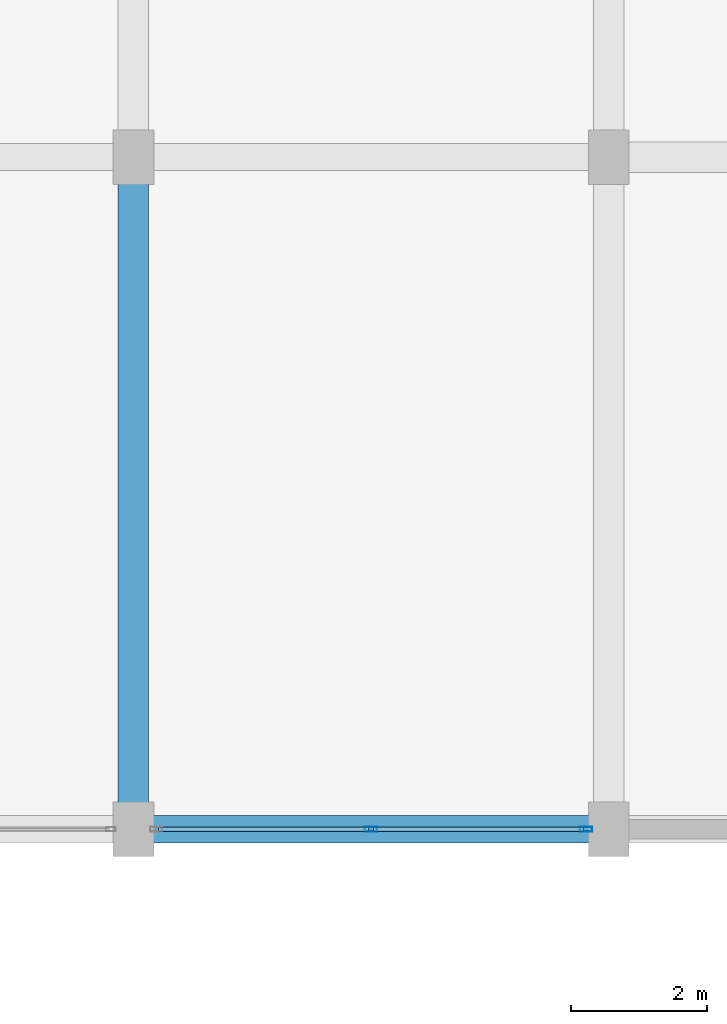
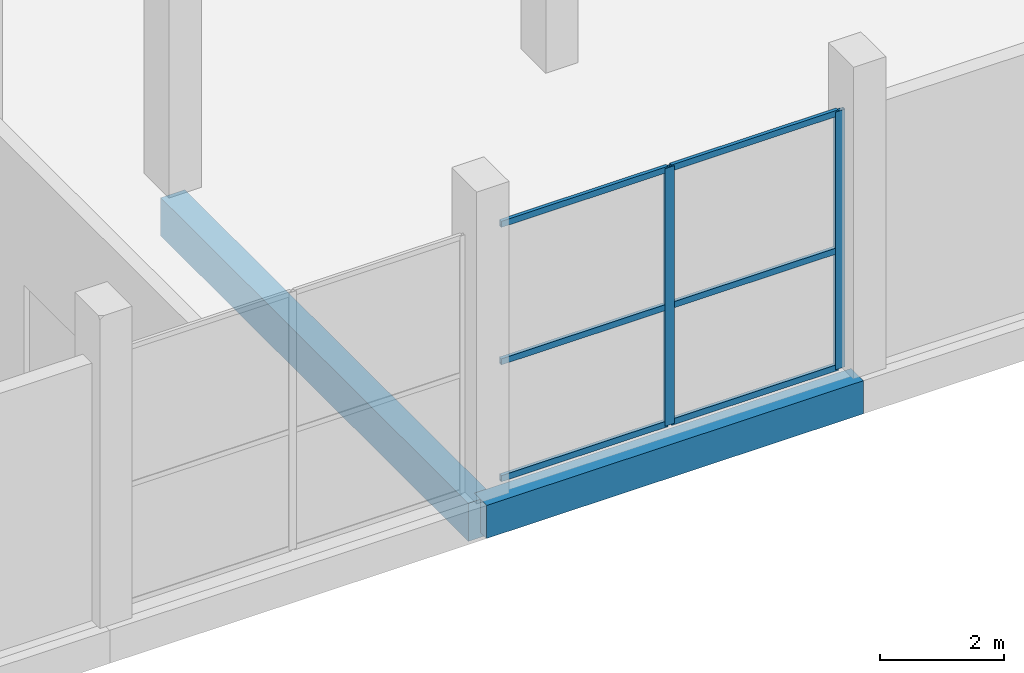
# One storey, part 3 of 58: 8 members, 2 beams, 1 element without a shape of its own.
"""IFC4 building model written with IfcOpenShell, lengths in metres."""

from ifc_helpers import new_model, si_unit, direction, frame, origin, origin_2d, place, context, subcontext, project, spatial, rectangle, hollow_rectangle, extrude, material, layer, layer_set, material_profile, profile_set, type_object, element, aggregate, save


model = new_model("IFC4")

# Units and contexts
model_context = context("Model", 3, precision=1e-05, world=origin(), true_north=direction((0.0, 1.0)))
body_context = subcontext(model_context, "Body", "Model", "MODEL_VIEW")
ifc_project = project(units=[si_unit("LENGTHUNIT", "METRE"), si_unit("AREAUNIT", "SQUARE_METRE"), si_unit("VOLUMEUNIT", "CUBIC_METRE"), si_unit("PLANEANGLEUNIT", "RADIAN"), si_unit("MASSUNIT", "GRAM", prefix="KILO")], contexts=[model_context])

# Site, building, storey
site_placement = place(None, origin())
site = spatial("IfcSite", under=ifc_project, at=site_placement, CompositionType="ELEMENT")
building_placement = place(site_placement, origin())
building = spatial("IfcBuilding", under=site, at=building_placement, Name="Sillaruma Civic Art Gallery", CompositionType="ELEMENT")
storey_placement = place(building_placement, frame((0.0, 0.0, 22.43994140625)))
storey = spatial("IfcBuildingStorey", under=building, at=storey_placement, Name="L04", CompositionType="ELEMENT", Elevation=22.43994140625)

# Beams
ifc_material_1 = material(Name="Concrete H40 (40 MPa)", Category="concrete")
ifc_material_profile_1 = material_profile(ifc_material_1, rectangle(XDim=0.449951171875, YDim=0.75, at=origin_2d()), Name="RCB450x750")
ifc_profile_set_1 = profile_set([ifc_material_profile_1], Name="Concrete H40 (40 MPa)")
beam_type_1 = type_object("IfcBeamType", Name="BM-BEAM-RCB450x750", PredefinedType="BEAM", material=ifc_profile_set_1)
beam_1_placement = place(storey_placement, frame((77.0, 19.800048828125, -0.635009765625), z_axis=(0.0, 1.0, 0.0), x_axis=(-1.0, 0.0, 0.0)))
element("IfcBeam", 1, at=beam_1_placement, inside=storey, type_object=beam_type_1, Name="Beam BM-03 (L03:H:3-4)", PredefinedType="BEAM", context=body_context, shape_type="SweptSolid", body=[
    extrude(rectangle(XDim=0.449951171875, YDim=0.75, at=origin_2d()), origin(), (0.0, 0.0, 1.0), 9.89990234375),
])
ifc_material_2 = material(Name="Concrete H35 (35 MPa)", Category="concrete")
ifc_material_profile_2 = material_profile(ifc_material_2, rectangle(XDim=0.39990234375, YDim=0.64990234375, at=origin_2d()), Name="RCB400x650")
ifc_profile_set_2 = profile_set([ifc_material_profile_2], Name="Concrete H35 (35 MPa)")
beam_type_2 = type_object("IfcBeamType", Name="BM-SPANDREL-RCB400x650", PredefinedType="SPANDREL", material=ifc_profile_set_2)
beam_2_placement = place(storey_placement, frame((77.0, 19.800048828125, -0.5849609375), z_axis=(1.0, 0.0, 0.0), x_axis=(0.0, 1.0, 0.0)))
element("IfcBeam", 2, at=beam_2_placement, inside=storey, type_object=beam_type_2, Name="Beam BS-02 (L03:3:H-J)", PredefinedType="SPANDREL", context=body_context, shape_type="SweptSolid", body=[
    extrude(rectangle(XDim=0.39990234375, YDim=0.64990234375, at=origin_2d()), origin(), (0.0, 0.0, 1.0), 7.0),
])

# Curtain wall, members
ifc_material_3 = material(Name="Thermally Broken Extruded Aluminium 6063-T6", Category="aluminium")
ifc_layer = layer(ifc_material_3, 0.179931640625, Name="Thermally Broken Extruded Aluminium 6063-T6")
ifc_layer_set = layer_set([ifc_layer], Name="Thermally Broken Extruded Aluminium 6063-T6")
curtain_wall_type = type_object("IfcCurtainWallType", Name="CW-UNI-28", PredefinedType="NOTDEFINED", material=ifc_layer_set)
curtain_wall_placement = place(storey_placement, origin())
curtain_wall = element("IfcCurtainWall", 3, at=curtain_wall_placement, inside=storey, type_object=curtain_wall_type, Name="Unitised Curtain Wall CW-28 (CW-L04-S-3)", PredefinedType="NOTDEFINED")
ifc_material_profile_3 = material_profile(ifc_material_3, hollow_rectangle(XDim=0.070068359375, YDim=0.179931640625, WallThickness=0.00390625, at=origin_2d()), Name="CWM70x180")
ifc_profile_set_3 = profile_set([ifc_material_profile_3], Name="Thermally Broken Extruded Aluminium 6063-T6")
member_type_1 = type_object("IfcMemberType", Name="MEM-MUL-CWM70x180", PredefinedType="MULLION", material=ifc_profile_set_3)
member_1_placement = place(storey_placement, frame((80.5, 19.800048828125, 0.0), z_axis=(0.0, 0.0, 1.0), x_axis=(0.0, 1.0, 0.0)))
member_1 = element("IfcMember", 4, at=member_1_placement, type_object=member_type_1, Name="CW-28 mullion 2", PredefinedType="MULLION", context=body_context, shape_type="SweptSolid", body=[
    extrude(hollow_rectangle(XDim=0.070068359375, YDim=0.179931640625, WallThickness=0.00390625, at=origin_2d()), origin(), (0.0, 0.0, 1.0), 5.06005859375),
])
member_2_placement = place(storey_placement, frame((83.6650390625, 19.800048828125, 0.0), z_axis=(0.0, 0.0, 1.0), x_axis=(0.0, 1.0, 0.0)))
member_2 = element("IfcMember", 5, at=member_2_placement, type_object=member_type_1, Name="CW-28 mullion 3", PredefinedType="MULLION", context=body_context, shape_type="SweptSolid", body=[
    extrude(hollow_rectangle(XDim=0.070068359375, YDim=0.179931640625, WallThickness=0.00390625, at=origin_2d()), origin(), (0.0, 0.0, 1.0), 5.06005859375),
])
ifc_material_profile_4 = material_profile(ifc_material_3, hollow_rectangle(XDim=0.06494140625, YDim=0.1201171875, WallThickness=0.00341796875, at=origin_2d()), Name="CWT65x120")
ifc_profile_set_4 = profile_set([ifc_material_profile_4], Name="Thermally Broken Extruded Aluminium 6063-T6")
member_type_2 = type_object("IfcMemberType", Name="MEM-TRN-CWT65x120", PredefinedType="USERDEFINED", material=ifc_profile_set_4)
member_3_placement = place(storey_placement, frame((77.3701171875, 19.800048828125, 0.032470703125), z_axis=(1.0, 0.0, 0.0), x_axis=(0.0, 1.0, 0.0)))
member_3 = element("IfcMember", 6, at=member_3_placement, type_object=member_type_2, Name="CW-28 transom 1.1", ObjectType="TRANSOM", PredefinedType="USERDEFINED", context=body_context, shape_type="SweptSolid", body=[
    extrude(hollow_rectangle(XDim=0.06494140625, YDim=0.1201171875, WallThickness=0.00341796875, at=origin_2d()), origin(), (0.0, 0.0, 1.0), 3.094970703125),
])
member_4_placement = place(storey_placement, frame((77.3701171875, 19.800048828125, 2.32763671875), z_axis=(1.0, 0.0, 0.0), x_axis=(0.0, 1.0, 0.0)))
member_4 = element("IfcMember", 7, at=member_4_placement, type_object=member_type_2, Name="CW-28 transom 1.2", ObjectType="TRANSOM", PredefinedType="USERDEFINED", context=body_context, shape_type="SweptSolid", body=[
    extrude(hollow_rectangle(XDim=0.06494140625, YDim=0.1201171875, WallThickness=0.00341796875, at=origin_2d()), origin(), (0.0, 0.0, 1.0), 3.094970703125),
])
member_5_placement = place(storey_placement, frame((77.3701171875, 19.800048828125, 5.027587890625), z_axis=(1.0, 0.0, 0.0), x_axis=(0.0, 1.0, 0.0)))
member_5 = element("IfcMember", 8, at=member_5_placement, type_object=member_type_2, Name="CW-28 transom 1.3", ObjectType="TRANSOM", PredefinedType="USERDEFINED", context=body_context, shape_type="SweptSolid", body=[
    extrude(hollow_rectangle(XDim=0.06494140625, YDim=0.1201171875, WallThickness=0.00341796875, at=origin_2d()), origin(), (0.0, 0.0, 1.0), 3.094970703125),
])
member_6_placement = place(storey_placement, frame((80.534912109375, 19.800048828125, 0.032470703125), z_axis=(1.0, 0.0, 0.0), x_axis=(0.0, 1.0, 0.0)))
member_6 = element("IfcMember", 9, at=member_6_placement, type_object=member_type_2, Name="CW-28 transom 2.1", ObjectType="TRANSOM", PredefinedType="USERDEFINED", context=body_context, shape_type="SweptSolid", body=[
    extrude(hollow_rectangle(XDim=0.06494140625, YDim=0.1201171875, WallThickness=0.00341796875, at=origin_2d()), origin(), (0.0, 0.0, 1.0), 3.094970703125),
])
member_7_placement = place(storey_placement, frame((80.534912109375, 19.800048828125, 2.32763671875), z_axis=(1.0, 0.0, 0.0), x_axis=(0.0, 1.0, 0.0)))
member_7 = element("IfcMember", 10, at=member_7_placement, type_object=member_type_2, Name="CW-28 transom 2.2", ObjectType="TRANSOM", PredefinedType="USERDEFINED", context=body_context, shape_type="SweptSolid", body=[
    extrude(hollow_rectangle(XDim=0.06494140625, YDim=0.1201171875, WallThickness=0.00341796875, at=origin_2d()), origin(), (0.0, 0.0, 1.0), 3.094970703125),
])
member_8_placement = place(storey_placement, frame((80.534912109375, 19.800048828125, 5.027587890625), z_axis=(1.0, 0.0, 0.0), x_axis=(0.0, 1.0, 0.0)))
member_8 = element("IfcMember", 11, at=member_8_placement, type_object=member_type_2, Name="CW-28 transom 2.3", ObjectType="TRANSOM", PredefinedType="USERDEFINED", context=body_context, shape_type="SweptSolid", body=[
    extrude(hollow_rectangle(XDim=0.06494140625, YDim=0.1201171875, WallThickness=0.00341796875, at=origin_2d()), origin(), (0.0, 0.0, 1.0), 3.094970703125),
])
aggregate(curtain_wall, [member_1, member_2, member_3, member_4, member_5, member_6, member_7, member_8])

save(model, "model.ifc")
